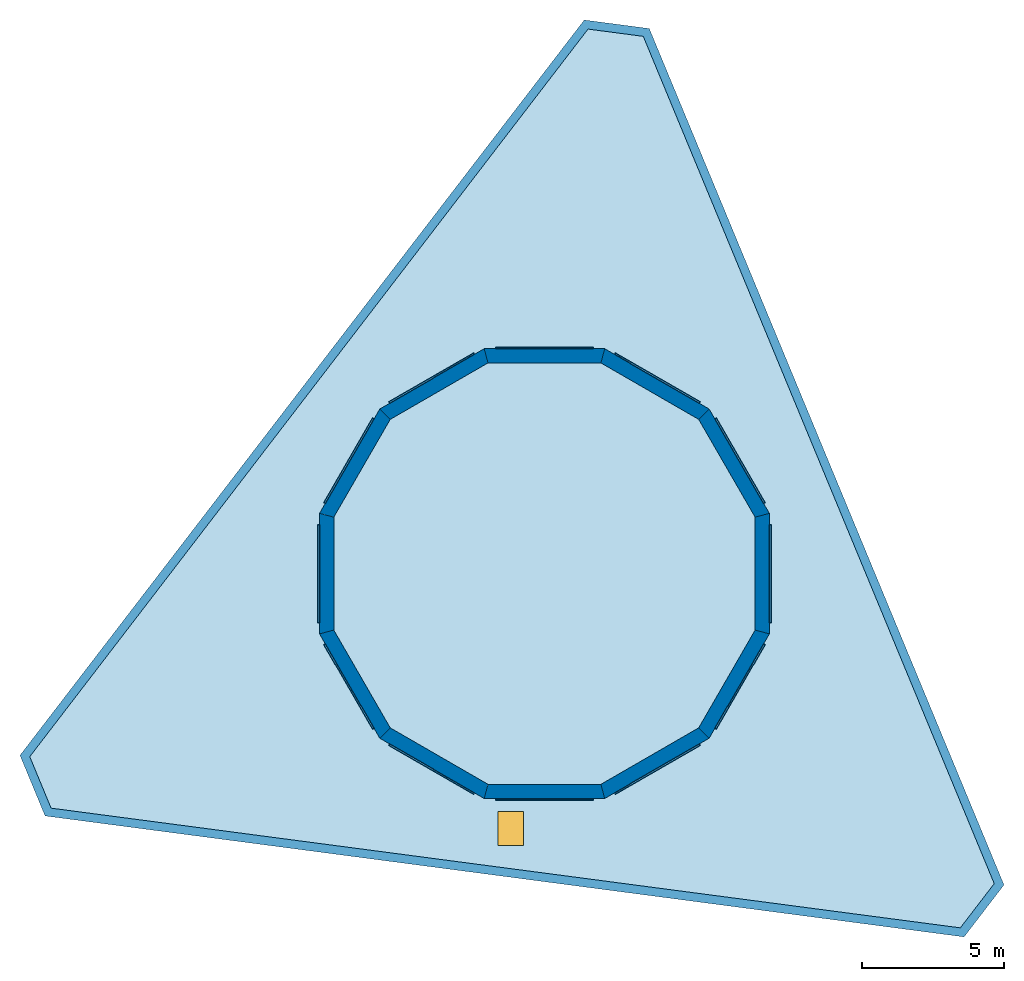
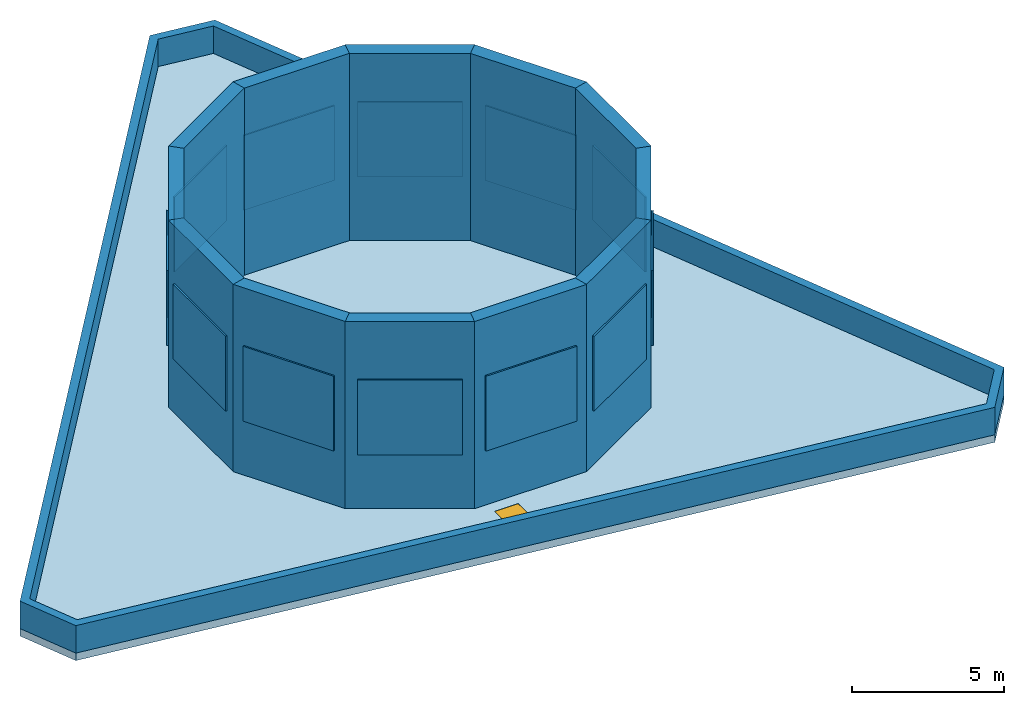
"""IFC4 building model written with IfcOpenShell, lengths in metres."""

from ifc_helpers import new_model, si_unit, direction, frame, origin, origin_2d, place, context, subcontext, project, spatial, polyline, rectangle, outline, extrude, material, layer, layer_set, type_object, element, fill, save


model = new_model("IFC4")

# Units and contexts
model_context = context("Model", 3, precision=1e-05, world=origin(), true_north=direction((0.0, 1.0)))
body_context = subcontext(model_context, "Body", "Model", "MODEL_VIEW")
ifc_project = project(units=[si_unit("LENGTHUNIT", "METRE"), si_unit("AREAUNIT", "SQUARE_METRE"), si_unit("VOLUMEUNIT", "CUBIC_METRE"), si_unit("PLANEANGLEUNIT", "RADIAN"), si_unit("MASSUNIT", "GRAM", prefix="KILO")], contexts=[model_context])

# Site, building, storey
site_placement = place(None, origin())
site = spatial("IfcSite", under=ifc_project, at=site_placement, CompositionType="ELEMENT")
building_placement = place(site_placement, origin())
building = spatial("IfcBuilding", under=site, at=building_placement, Name="Trine Commons Tower", CompositionType="ELEMENT")
storey_1_placement = place(building_placement, frame((0.0, 0.0, 306.60009765625)))
storey_1 = spatial("IfcBuildingStorey", under=building, at=storey_1_placement, Name="ROOF", CompositionType="ELEMENT", Elevation=306.60009765625)

# Plates
ifc_material_1 = material(Name="Anodised aluminium louvre blades in an aluminium frame, alloy 6063-T6", Category="aluminium")
ifc_layer_1 = layer(ifc_material_1, 0.06005859375)
ifc_layer_set_1 = layer_set([ifc_layer_1], Name="Anodised aluminium louvre blades in an aluminium frame, alloy 6063-T6")
plate_type = type_object("IfcPlateType", Name="Louvre cladding band 60", PredefinedType="SHEET", material=ifc_layer_set_1)
for number, where, z_axis, x_axis, name in (
    (1, (86.885498046875, 66.475341796875, 2.199951171875), (0.0, 0.0, 1.0), (-0.5, 0.866025403784, 0.0), "Plant drum louvre band 1"),
    (2, (83.975341796875, 69.385498046875, 2.199951171875), (0.0, 0.0, 1.0), (-0.866025403784, 0.5, 0.0), "Plant drum louvre band 2"),
    (3, (80.0, 70.45068359375, 2.199951171875), (0.0, 0.0, 1.0), (-1.0, 0.0, 0.0), "Plant drum louvre band 3"),
    (4, (76.024658203125, 69.385498046875, 2.199951171875), (0.0, 0.0, 1.0), (-0.866025403784, -0.5, 0.0), "Plant drum louvre band 4"),
    (5, (73.114501953125, 66.475341796875, 2.199951171875), (0.0, 0.0, 1.0), (-0.5, -0.866025403784, 0.0), "Plant drum louvre band 5"),
    (6, (72.04931640625, 62.5, 2.199951171875), (0.0, 0.0, 1.0), (0.0, -1.0, 0.0), "Plant drum louvre band 6"),
    (7, (73.114501953125, 58.524658203125, 2.199951171875), (0.0, 0.0, 1.0), (0.5, -0.866025403784, 0.0), "Plant drum louvre band 7"),
    (8, (76.024658203125, 55.614501953125, 2.199951171875), (0.0, 0.0, 1.0), (0.866025403784, -0.5, 0.0), "Plant drum louvre band 8"),
    (9, (80.0, 54.54931640625, 2.199951171875), (0.0, 0.0, 1.0), (1.0, 0.0, 0.0), "Plant drum louvre band 9"),
    (10, (83.975341796875, 55.614501953125, 2.199951171875), (0.0, 0.0, 1.0), (0.866025403784, 0.5, 0.0), "Plant drum louvre band 10"),
    (11, (86.885498046875, 58.524658203125, 2.199951171875), (0.0, 0.0, 1.0), (0.5, 0.866025403784, 0.0), "Plant drum louvre band 11"),
    (12, (87.95068359375, 62.5, 2.199951171875), (0.0, 0.0, 1.0), (0.0, 1.0, 0.0), "Plant drum louvre band 12"),
):
    element("IfcPlate", number, at=place(storey_1_placement, frame(where, z_axis=z_axis, x_axis=x_axis)), inside=storey_1, type_object=plate_type, Name=name, PredefinedType="SHEET", context=body_context, shape_type="SweptSolid", body=[
        extrude(rectangle(XDim=3.444580078125, YDim=0.06005859375, at=origin_2d()), origin(), (0.0, 0.0, 1.0), 3.0),
    ])

# Slab, opening
ifc_material_2 = material(Name="Concrete C40/50", Category="concrete")
ifc_layer_2 = layer(ifc_material_2, 0.300048828125)
ifc_layer_set_2 = layer_set([ifc_layer_2], Name="Concrete C40/50")
slab_type = type_object("IfcSlabType", Name="Roof slab 300 mm, C40/50", PredefinedType="ROOF", material=ifc_layer_set_2)
slab_1_placement = place(storey_1_placement, frame((0.0, 0.0, -0.300048828125)))
slab_1 = element("IfcSlab", 13, at=slab_1_placement, inside=storey_1, type_object=slab_type, Name="Roof slab 1", PredefinedType="ROOF", context=body_context, shape_type="SweptSolid", body=[
    extrude(outline(polyline([(62.4130859375, 53.965576171875), (94.77880859375, 49.70458984375), (96.1845703125, 51.53662109375), (83.69189453125, 81.696533203125), (81.40234375, 81.997802734375), (61.529296875, 56.09912109375), (62.4130859375, 53.965576171875)]), holes=[polyline([(85.79833984375, 68.29833984375), (82.122314453125, 70.420654296875), (77.877685546875, 70.420654296875), (74.20166015625, 68.29833984375), (72.079345703125, 64.622314453125), (72.079345703125, 60.377685546875), (74.20166015625, 56.70166015625), (77.877685546875, 54.579345703125), (82.122314453125, 54.579345703125), (85.79833984375, 56.70166015625), (87.920654296875, 60.377685546875), (87.920654296875, 64.622314453125), (85.79833984375, 68.29833984375)]), polyline([(78.367919921875, 52.92041015625), (79.267822265625, 52.92041015625), (79.267822265625, 54.120361328125), (78.367919921875, 54.120361328125), (78.367919921875, 52.92041015625)])]), origin(), (0.0, 0.0, 1.0), 0.300048828125),
])
opening_placement = place(slab_1_placement, frame((78.81787109375, 53.5205078125, -0.010009765625)))
opening = element("IfcOpeningElement", 14, at=opening_placement, cuts=slab_1, Name="Opening RH2", PredefinedType="OPENING", context=body_context, shape_type="SweptSolid", body=[
    extrude(rectangle(XDim=0.89990234375, YDim=1.199951171875, at=origin_2d()), origin(), (0.0, 0.0, 1.0), 0.320068359375),
])

# Storey
storey_2_placement = place(building_placement, frame((0.0, 0.0, 300.60009765625)))
storey_2 = spatial("IfcBuildingStorey", under=building, at=storey_2_placement, Name="CROWN", CompositionType="ELEMENT", Elevation=300.60009765625)

# Window
ifc_material_3 = material(Name="Aluminium and glass", Category="aluminium")
window_type = type_object("IfcWindowType", Name="Roof access hatch 900x1200", PartitioningType="SINGLE_PANEL", PredefinedType="SKYLIGHT", material=ifc_material_3)
window_placement = place(opening_placement, frame((0.0, 0.0, 0.25)))
window = element("IfcWindow", 15, at=window_placement, inside=storey_2, type_object=window_type, Name="Roof access hatch", OverallHeight=1.199951171875, OverallWidth=0.89990234375, PartitioningType="SINGLE_PANEL", PredefinedType="SKYLIGHT", context=body_context, shape_type="SweptSolid", body=[
    extrude(rectangle(XDim=0.89990234375, YDim=1.199951171875, at=origin_2d()), origin(), (0.0, 0.0, 1.0), 0.050048828125),
])

fill(opening, window)

# Slab
slab_2_placement = place(storey_1_placement, frame((0.0, 0.0, -0.300048828125)))
element("IfcSlab", 16, at=slab_2_placement, inside=storey_1, type_object=slab_type, Name="Roof slab 2", PredefinedType="ROOF", context=body_context, shape_type="SweptSolid", body=[
    extrude(outline(polyline([(85.432373046875, 67.932373046875), (81.98828125, 69.920654296875), (78.01171875, 69.920654296875), (74.567626953125, 67.932373046875), (72.579345703125, 64.48828125), (72.579345703125, 60.51171875), (74.567626953125, 57.067626953125), (78.01171875, 55.079345703125), (81.98828125, 55.079345703125), (85.432373046875, 57.067626953125), (87.420654296875, 60.51171875), (87.420654296875, 64.48828125), (85.432373046875, 67.932373046875)])), origin(), (0.0, 0.0, 1.0), 0.300048828125),
])

# Walls
ifc_material_4 = material(Name="Concrete C50/60", Category="concrete")
ifc_layer_3 = layer(ifc_material_4, 0.5)
ifc_layer_set_3 = layer_set([ifc_layer_3], Name="Concrete C50/60")
wall_type_1 = type_object("IfcWallType", Name="RC shear wall 500 mm, C50/60", PredefinedType="SHEAR", material=ifc_layer_set_3)
for number, where, z_axis, x_axis, name in (
    (17, (87.670654296875, 60.377685546875, 0.0), (0.0, 0.0, 1.0), (0.0, 1.0, 0.0), "Plant drum wall 1"),
    (18, (87.7041015625, 64.497314453125, 0.0), (0.0, 0.0, 1.0), (-0.499992968425, 0.866029463428, 0.0), "Plant drum wall 2"),
    (19, (85.67333984375, 68.081787109375, 0.0), (0.0, 0.0, 1.0), (-0.866029463428, 0.499992968425, 0.0), "Plant drum wall 3"),
    (20, (82.122314453125, 70.170654296875, 0.0), (0.0, 0.0, 1.0), (-1.0, 0.0, 0.0), "Plant drum wall 4"),
    (21, (78.002685546875, 70.2041015625, 0.0), (0.0, 0.0, 1.0), (-0.866029463428, -0.499992968425, 0.0), "Plant drum wall 5"),
    (22, (74.418212890625, 68.17333984375, 0.0), (0.0, 0.0, 1.0), (-0.499992968425, -0.866029463428, 0.0), "Plant drum wall 6"),
    (23, (72.329345703125, 64.622314453125, 0.0), (0.0, 0.0, 1.0), (0.0, -1.0, 0.0), "Plant drum wall 7"),
    (24, (72.2958984375, 60.502685546875, 0.0), (0.0, 0.0, 1.0), (0.499992968425, -0.866029463428, 0.0), "Plant drum wall 8"),
    (25, (74.32666015625, 56.918212890625, 0.0), (0.0, 0.0, 1.0), (0.866029463428, -0.499992968425, 0.0), "Plant drum wall 9"),
    (26, (77.877685546875, 54.829345703125, 0.0), (0.0, 0.0, 1.0), (1.0, 0.0, 0.0), "Plant drum wall 10"),
    (27, (81.997314453125, 54.7958984375, 0.0), (0.0, 0.0, 1.0), (0.866029463428, 0.499992968425, 0.0), "Plant drum wall 11"),
    (28, (85.581787109375, 56.82666015625, 0.0), (0.0, 0.0, 1.0), (0.499992968425, 0.866029463428, 0.0), "Plant drum wall 12"),
):
    element("IfcWall", number, at=place(storey_1_placement, frame(where, z_axis=z_axis, x_axis=x_axis)), inside=storey_1, type_object=wall_type_1, Name=name, PredefinedType="SHEAR", context=body_context, shape_type="SweptSolid", body=[
        extrude(outline(polyline([(0.0, -0.25), (4.24462890625, -0.25), (4.110595703125, 0.25), (0.134033203125, 0.25), (0.0, -0.25)])), origin(), (0.0, 0.0, 1.0), 7.5),
    ])
ifc_material_5 = material(Name="Limestone, honed", Category="masonry")
ifc_layer_4 = layer(ifc_material_5, 0.300048828125)
ifc_layer_set_4 = layer_set([ifc_layer_4], Name="Limestone, honed")
wall_type_2 = type_object("IfcWallType", Name="Stone parapet 300", PredefinedType="PARAPET", material=ifc_layer_set_4)
wall_placement = place(storey_1_placement, origin())
element("IfcWall", 29, at=wall_placement, inside=storey_1, type_object=wall_type_2, Name="Roof parapet, crown drum", PredefinedType="PARAPET", context=body_context, shape_type="SweptSolid", body=[
    extrude(outline(polyline([(62.4130859375, 53.965576171875), (94.77880859375, 49.70458984375), (96.1845703125, 51.53662109375), (83.69189453125, 81.696533203125), (81.40234375, 81.997802734375), (61.529296875, 56.09912109375), (62.4130859375, 53.965576171875)]), holes=[polyline([(62.6240234375, 54.240234375), (94.64599609375, 50.0244140625), (95.841064453125, 51.581787109375), (83.48095703125, 81.421630859375), (81.534912109375, 81.677978515625), (61.872802734375, 56.0537109375), (62.6240234375, 54.240234375)])]), origin(), (0.0, 0.0, 1.0), 1.099853515625),
])

save(model, "model.ifc")
